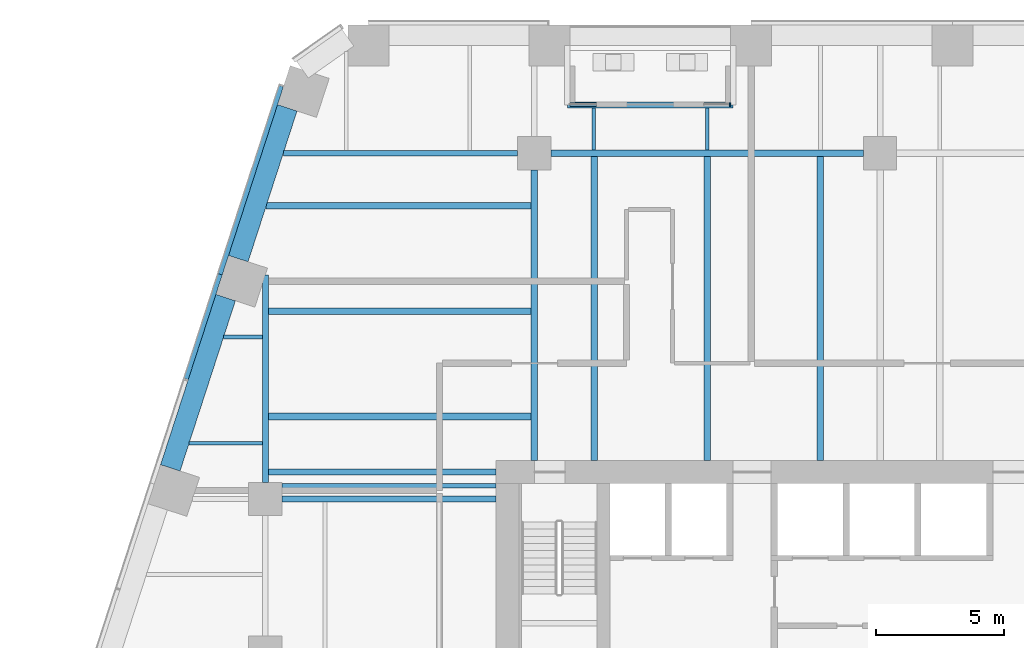
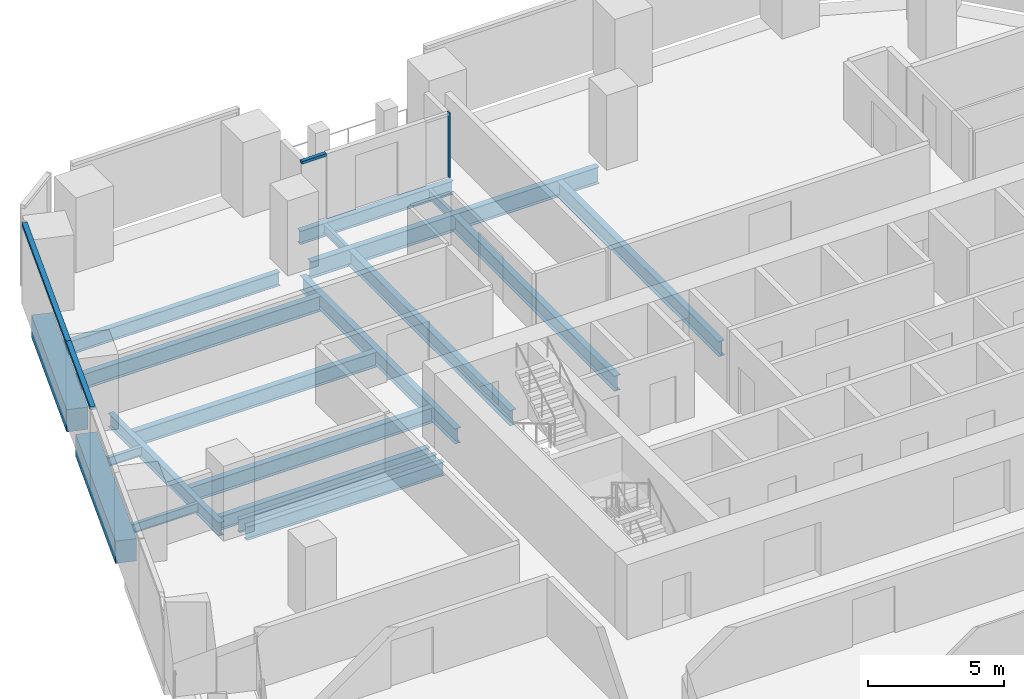
# One storey, part 11 of 31: 20 beams, 4 members, 2 elements without a shape of their own.
"""IFC4 building model written with IfcOpenShell, lengths in metres."""

from ifc_helpers import new_model, si_unit, direction, frame, origin, origin_2d, place, context, subcontext, project, spatial, rectangle, i_section, extrude, material, layer, layer_set, material_profile, profile_set, type_object, element, aggregate, save


model = new_model("IFC4")

# Units and contexts
model_context = context("Model", 3, precision=1e-05, world=origin(), true_north=direction((0.0, 1.0)))
body_context = subcontext(model_context, "Body", "Model", "MODEL_VIEW")
ifc_project = project(units=[si_unit("LENGTHUNIT", "METRE"), si_unit("AREAUNIT", "SQUARE_METRE"), si_unit("VOLUMEUNIT", "CUBIC_METRE"), si_unit("PLANEANGLEUNIT", "RADIAN"), si_unit("MASSUNIT", "GRAM", prefix="KILO")], contexts=[model_context])

# Site, building, storey
site_placement = place(None, origin())
site = spatial("IfcSite", under=ifc_project, at=site_placement, CompositionType="ELEMENT")
building_placement = place(site_placement, origin())
building = spatial("IfcBuilding", under=site, at=building_placement, Name="Isthmus Gate Tower", CompositionType="ELEMENT")
storey_placement = place(building_placement, frame((0.0, 0.0, 113.5)))
storey = spatial("IfcBuildingStorey", under=building, at=storey_placement, Name="L27", CompositionType="ELEMENT", Elevation=113.5)

# Curtain wall, members
ifc_material_1 = material(Name="Aluminium, pale champagne anodised", Category="aluminium")
ifc_layer_1 = layer(ifc_material_1, 0.199951171875)
ifc_layer_set_1 = layer_set([ifc_layer_1], Name="CW-1 UNITISED CURTAIN WALL 200 DEEP")
curtain_wall_type_1 = type_object("IfcCurtainWallType", Name="CW-1 UNITISED CURTAIN WALL 200 DEEP", PredefinedType="NOTDEFINED", material=ifc_layer_set_1)
curtain_wall_1_placement = place(storey_placement, origin())
curtain_wall_1 = element("IfcCurtainWall", 1, at=curtain_wall_1_placement, inside=storey, type_object=curtain_wall_type_1, Name="CW-1 NW L27", PredefinedType="NOTDEFINED")
ifc_material_2 = material(Name="Aluminium, pale champagne anodised", Category="aluminium")
ifc_material_profile_1 = material_profile(ifc_material_2, rectangle(XDim=0.199951171875, YDim=0.14990234375, at=origin_2d()), Name="200x150")
ifc_profile_set_1 = profile_set([ifc_material_profile_1], Name="Aluminium, pale champagne anodised")
member_type_1 = type_object("IfcMemberType", Name="CW-1 TRANSOM 200 X 150", PredefinedType="USERDEFINED", material=ifc_profile_set_1)
member_1_placement = place(storey_placement, frame((-23.389892578125, 29.6279296875, 3.574951171875), z_axis=(-0.309036077329, -0.951050315656, 0.0), x_axis=(0.951050315656, -0.309036077329, 0.0)))
member_1 = element("IfcMember", 2, at=member_1_placement, type_object=member_type_1, Name="CW-1 transom", ObjectType="TRANSOM", PredefinedType="USERDEFINED", context=body_context, shape_type="SweptSolid", body=[
    extrude(rectangle(XDim=0.199951171875, YDim=0.14990234375, at=origin_2d()), origin(), (0.0, 0.0, 1.0), 7.7294921875),
])
member_2_placement = place(storey_placement, frame((-25.778564453125, 22.27685546875, 3.574951171875), z_axis=(-0.309021801109, -0.951054954479, 0.0), x_axis=(0.951054954479, -0.309021801109, 0.0)))
member_2 = element("IfcMember", 3, at=member_2_placement, type_object=member_type_1, Name="CW-1 transom", ObjectType="TRANSOM", PredefinedType="USERDEFINED", context=body_context, shape_type="SweptSolid", body=[
    extrude(rectangle(XDim=0.199951171875, YDim=0.14990234375, at=origin_2d()), origin(), (0.0, 0.0, 1.0), 4.294677734375),
])
aggregate(curtain_wall_1, [member_1, member_2])

ifc_material_3 = material(Name="Aluminium, pale champagne anodised", Category="aluminium")
ifc_layer_2 = layer(ifc_material_3, 0.14990234375)
ifc_layer_set_2 = layer_set([ifc_layer_2], Name="CW-6 LOGGIA BACK WALL GLAZING 150 DEEP")
curtain_wall_type_2 = type_object("IfcCurtainWallType", Name="CW-6 LOGGIA BACK WALL GLAZING 150 DEEP", PredefinedType="NOTDEFINED", material=ifc_layer_set_2)
curtain_wall_2_placement = place(storey_placement, origin())
curtain_wall_2 = element("IfcCurtainWall", 4, at=curtain_wall_2_placement, inside=storey, type_object=curtain_wall_type_2, Name="CW-6 N L27", PredefinedType="NOTDEFINED")
ifc_material_4 = material(Name="Aluminium, pale champagne anodised", Category="aluminium")
ifc_material_profile_2 = material_profile(ifc_material_4, rectangle(XDim=0.06005859375, YDim=0.14990234375, at=origin_2d()), Name="60x150")
ifc_profile_set_2 = profile_set([ifc_material_profile_2], Name="Aluminium, pale champagne anodised")
member_type_2 = type_object("IfcMemberType", Name="CW-6 MULLION 60 X 150", PredefinedType="MULLION", material=ifc_profile_set_2)
member_3_placement = place(storey_placement, frame((-5.8671875, 28.89990234375, 0.0), z_axis=(0.0, 0.0, 1.0), x_axis=(-1.0, 0.0, 0.0)))
member_3 = element("IfcMember", 5, at=member_3_placement, type_object=member_type_2, Name="CW-6 mullion", PredefinedType="MULLION", context=body_context, shape_type="SweptSolid", body=[
    extrude(rectangle(XDim=0.06005859375, YDim=0.14990234375, at=origin_2d()), origin(), (0.0, 0.0, 1.0), 2.89990234375),
])
ifc_material_5 = material(Name="Aluminium, pale champagne anodised", Category="aluminium")
ifc_material_profile_3 = material_profile(ifc_material_5, rectangle(XDim=0.14990234375, YDim=0.1201171875, at=origin_2d()), Name="150x120")
ifc_profile_set_3 = profile_set([ifc_material_profile_3], Name="Aluminium, pale champagne anodised")
member_type_3 = type_object("IfcMemberType", Name="CW-6 TRANSOM 150 X 120", PredefinedType="USERDEFINED", material=ifc_profile_set_3)
member_4_placement = place(storey_placement, frame((-11.072021484375, 28.89990234375, 2.840087890625), z_axis=(-1.0, 0.0, 0.0), x_axis=(0.0, -1.0, 0.0)))
member_4 = element("IfcMember", 6, at=member_4_placement, type_object=member_type_3, Name="CW-6 transom", ObjectType="TRANSOM", PredefinedType="USERDEFINED", context=body_context, shape_type="SweptSolid", body=[
    extrude(rectangle(XDim=0.14990234375, YDim=0.1201171875, at=origin_2d()), origin(), (0.0, 0.0, 1.0), 1.03466796875),
])
aggregate(curtain_wall_2, [member_3, member_4])

# Beams
ifc_material_6 = material(Name="Concrete f'c 70 MPa", Category="concrete")
ifc_material_profile_4 = material_profile(ifc_material_6, rectangle(XDim=0.800048828125, YDim=1.0, at=origin_2d()), Name="RC 800X1000")
ifc_profile_set_4 = profile_set([ifc_material_profile_4], Name="Concrete f'c 70 MPa")
beam_type_1 = type_object("IfcBeamType", Name="RC SPANDREL 800 X 1000", PredefinedType="SPANDREL", material=ifc_profile_set_4)
beam_1_placement = place(storey_placement, frame((-27.7099609375, 14.71435546875, -0.5), z_axis=(0.309029993465, 0.951052292537, 0.0), x_axis=(-0.951052292537, 0.309029993465, 0.0)))
element("IfcBeam", 7, at=beam_1_placement, inside=storey, type_object=beam_type_1, Name="str-spandrel-L27-20", PredefinedType="SPANDREL", context=body_context, shape_type="SweptSolid", body=[
    extrude(rectangle(XDim=0.800048828125, YDim=1.0, at=origin_2d()), origin(), (0.0, 0.0, 1.0), 6.9892578125),
])
beam_2_placement = place(storey_placement, frame((-25.0556640625, 22.88330078125, -0.5), z_axis=(0.309023635203, 0.951054358534, 0.0), x_axis=(-0.951054358534, 0.309023635203, 0.0)))
element("IfcBeam", 8, at=beam_2_placement, inside=storey, type_object=beam_type_1, Name="str-spandrel-L27-21", PredefinedType="SPANDREL", context=body_context, shape_type="SweptSolid", body=[
    extrude(rectangle(XDim=0.800048828125, YDim=1.0, at=origin_2d()), origin(), (0.0, 0.0, 1.0), 6.189208984375),
])
ifc_material_7 = material(Name="Structural steel ASTM A992 Gr 50", Category="steel")
ifc_material_profile_5 = material_profile(ifc_material_7, i_section(OverallWidth=0.1396484375, OverallDepth=0.4033203125, WebThickness=0.00634765625, FlangeThickness=0.010986328125, at=origin_2d()), Name="W16X31")
ifc_profile_set_5 = profile_set([ifc_material_profile_5], Name="Structural steel ASTM A992 Gr 50")
beam_type_2 = type_object("IfcBeamType", Name="STEEL FLOOR BEAM W16X31", PredefinedType="JOIST", material=ifc_profile_set_5)
beam_3_placement = place(storey_placement, frame((-26.976318359375, 15.677978515625, -0.3515625), z_axis=(1.0, 0.0, 0.0), x_axis=(0.0, 1.0, 0.0)))
element("IfcBeam", 9, at=beam_3_placement, inside=storey, type_object=beam_type_2, Name="str-beam-L27-03-00", PredefinedType="JOIST", context=body_context, shape_type="SweptSolid", body=[
    extrude(i_section(OverallWidth=0.1396484375, OverallDepth=0.4033203125, WebThickness=0.00634765625, FlangeThickness=0.010986328125, at=origin_2d()), origin(), (0.0, 0.0, 1.0), 2.862060546875),
])
beam_4_placement = place(storey_placement, frame((-25.629150390625, 19.82421875, -0.3515625), z_axis=(1.0, 0.0, 0.0), x_axis=(0.0, 1.0, 0.0)))
element("IfcBeam", 10, at=beam_4_placement, inside=storey, type_object=beam_type_2, Name="str-beam-L27-03-01", PredefinedType="JOIST", context=body_context, shape_type="SweptSolid", body=[
    extrude(i_section(OverallWidth=0.1396484375, OverallDepth=0.4033203125, WebThickness=0.00634765625, FlangeThickness=0.010986328125, at=origin_2d()), origin(), (0.0, 0.0, 1.0), 1.514892578125),
])
for number, where, z_axis, x_axis, name in (
    (11, (-11.18017578125, 27.1318359375, -0.3515625), (0.0, 1.0, 0.0), (-1.0, 0.0, 0.0), "str-beam-L27-18-00"),
    (12, (-6.75, 27.1318359375, -0.3515625), (0.0, 1.0, 0.0), (-1.0, 0.0, 0.0), "str-beam-L27-18-01"),
):
    element("IfcBeam", number, at=place(storey_placement, frame(where, z_axis=z_axis, x_axis=x_axis)), inside=storey, type_object=beam_type_2, Name=name, PredefinedType="JOIST", context=body_context, shape_type="SweptSolid", body=[
        extrude(i_section(OverallWidth=0.1396484375, OverallDepth=0.4033203125, WebThickness=0.00634765625, FlangeThickness=0.010986328125, at=origin_2d()), origin(), (0.0, 0.0, 1.0), 1.6396484375),
    ])
ifc_material_8 = material(Name="Structural steel ASTM A992 Gr 50", Category="steel")
ifc_material_profile_6 = material_profile(ifc_material_8, i_section(OverallWidth=0.177734375, OverallDepth=0.60009765625, WebThickness=0.009521484375, FlangeThickness=0.0126953125, at=origin_2d()), Name="W24X55")
ifc_profile_set_6 = profile_set([ifc_material_profile_6], Name="Structural steel ASTM A992 Gr 50")
beam_type_3 = type_object("IfcBeamType", Name="STEEL FLOOR BEAM W24X55", PredefinedType="JOIST", material=ifc_profile_set_6)
beam_5_placement = place(storey_placement, frame((-23.35009765625, 14.02490234375, -0.449951171875), z_axis=(1.0, 0.0, 0.0), x_axis=(0.0, 1.0, 0.0)))
element("IfcBeam", 13, at=beam_5_placement, inside=storey, type_object=beam_type_3, Name="str-beam-L27-06-00", PredefinedType="JOIST", context=body_context, shape_type="SweptSolid", body=[
    extrude(i_section(OverallWidth=0.177734375, OverallDepth=0.60009765625, WebThickness=0.009521484375, FlangeThickness=0.0126953125, at=origin_2d()), origin(), (0.0, 0.0, 1.0), 8.35009765625),
])
ifc_material_9 = material(Name="Structural steel ASTM A992 Gr 50", Category="steel")
ifc_material_profile_7 = material_profile(ifc_material_9, i_section(OverallWidth=0.25390625, OverallDepth=0.679443359375, WebThickness=0.010986328125, FlangeThickness=0.015869140625, at=origin_2d()), Name="W27X84")
ifc_profile_set_7 = profile_set([ifc_material_profile_7], Name="Structural steel ASTM A992 Gr 50")
beam_type_4 = type_object("IfcBeamType", Name="STEEL FLOOR BEAM W27X84", PredefinedType="JOIST", material=ifc_profile_set_7)
for number, where, z_axis, x_axis, name in (
    (14, (-23.8857421875, 16.72021484375, -0.48974609375), (1.0, 0.0, 0.0), (0.0, 1.0, 0.0), "str-beam-L27-08-00"),
    (15, (-23.8857421875, 20.83203125, -0.48974609375), (1.0, 0.0, 0.0), (0.0, 1.0, 0.0), "str-beam-L27-08-01"),
):
    element("IfcBeam", number, at=place(storey_placement, frame(where, z_axis=z_axis, x_axis=x_axis)), inside=storey, type_object=beam_type_4, Name=name, PredefinedType="JOIST", context=body_context, shape_type="SweptSolid", body=[
        extrude(i_section(OverallWidth=0.25390625, OverallDepth=0.679443359375, WebThickness=0.010986328125, FlangeThickness=0.015869140625, at=origin_2d()), origin(), (0.0, 0.0, 1.0), 10.2587890625),
    ])
beam_6_placement = place(storey_placement, frame((-23.965576171875, 24.944091796875, -0.48974609375), z_axis=(1.0, 0.0, 0.0), x_axis=(0.0, 1.0, 0.0)))
element("IfcBeam", 16, at=beam_6_placement, inside=storey, type_object=beam_type_4, Name="str-beam-L27-08-02", PredefinedType="JOIST", context=body_context, shape_type="SweptSolid", body=[
    extrude(i_section(OverallWidth=0.25390625, OverallDepth=0.679443359375, WebThickness=0.010986328125, FlangeThickness=0.015869140625, at=origin_2d()), origin(), (0.0, 0.0, 1.0), 10.338623046875),
])
for number, where, z_axis, x_axis, name in (
    (17, (-11.165283203125, 15.0, -0.48974609375), (0.0, 1.0, 0.0), (-1.0, 0.0, 0.0), "str-beam-L27-17-00"),
    (18, (-6.75, 15.0, -0.48974609375), (0.0, 1.0, 0.0), (-1.0, 0.0, 0.0), "str-beam-L27-17-01"),
    (19, (-2.334716796875, 15.0, -0.48974609375), (0.0, 1.0, 0.0), (-1.0, 0.0, 0.0), "str-beam-L27-17-02"),
):
    element("IfcBeam", number, at=place(storey_placement, frame(where, z_axis=z_axis, x_axis=x_axis)), inside=storey, type_object=beam_type_4, Name=name, PredefinedType="JOIST", context=body_context, shape_type="SweptSolid", body=[
        extrude(i_section(OverallWidth=0.25390625, OverallDepth=0.679443359375, WebThickness=0.010986328125, FlangeThickness=0.015869140625, at=origin_2d()), origin(), (0.0, 0.0, 1.0), 11.8681640625),
    ])
ifc_material_10 = material(Name="Structural steel ASTM A992 Gr 50", Category="steel")
ifc_material_profile_8 = material_profile(ifc_material_10, i_section(OverallWidth=0.228515625, OverallDepth=0.6064453125, WebThickness=0.010986328125, FlangeThickness=0.017578125, at=origin_2d()), Name="W24X76")
ifc_profile_set_8 = profile_set([ifc_material_profile_8], Name="Structural steel ASTM A992 Gr 50")
beam_type_5 = type_object("IfcBeamType", Name="STEEL GIRDER W24X76", PredefinedType="BEAM", material=ifc_profile_set_8)
beam_7_placement = place(storey_placement, frame((-23.35009765625, 13.5, -0.453125), z_axis=(1.0, 0.0, 0.0), x_axis=(0.0, 1.0, 0.0)))
element("IfcBeam", 20, at=beam_7_placement, inside=storey, type_object=beam_type_5, Name="str-girder-L27-14", PredefinedType="BEAM", context=body_context, shape_type="SweptSolid", body=[
    extrude(i_section(OverallWidth=0.228515625, OverallDepth=0.6064453125, WebThickness=0.010986328125, FlangeThickness=0.017578125, at=origin_2d()), origin(), (0.0, 0.0, 1.0), 8.35009765625),
])
beam_8_placement = place(storey_placement, frame((-23.297607421875, 27.0, -0.453125), z_axis=(1.0, 0.0, 0.0), x_axis=(0.0, 1.0, 0.0)))
element("IfcBeam", 21, at=beam_8_placement, inside=storey, type_object=beam_type_5, Name="str-girder-L27-17", PredefinedType="BEAM", context=body_context, shape_type="SweptSolid", body=[
    extrude(i_section(OverallWidth=0.228515625, OverallDepth=0.6064453125, WebThickness=0.010986328125, FlangeThickness=0.017578125, at=origin_2d()), origin(), (0.0, 0.0, 1.0), 9.147705078125),
])
beam_9_placement = place(storey_placement, frame((-24.0, 14.14990234375, -0.453125), z_axis=(0.0, 1.0, 0.0), x_axis=(-1.0, 0.0, 0.0)))
element("IfcBeam", 22, at=beam_9_placement, inside=storey, type_object=beam_type_5, Name="str-girder-L27-23", PredefinedType="BEAM", context=body_context, shape_type="SweptSolid", body=[
    extrude(i_section(OverallWidth=0.228515625, OverallDepth=0.6064453125, WebThickness=0.010986328125, FlangeThickness=0.017578125, at=origin_2d()), origin(), (0.0, 0.0, 1.0), 8.099365234375),
])
beam_10_placement = place(storey_placement, frame((-15.0, 14.550048828125, -0.453125), z_axis=(-1.0, 0.0, 0.0), x_axis=(0.0, -1.0, 0.0)))
element("IfcBeam", 23, at=beam_10_placement, inside=storey, type_object=beam_type_5, Name="str-girder-L27-41", PredefinedType="BEAM", context=body_context, shape_type="SweptSolid", body=[
    extrude(i_section(OverallWidth=0.228515625, OverallDepth=0.6064453125, WebThickness=0.010986328125, FlangeThickness=0.017578125, at=origin_2d()), origin(), (0.0, 0.0, 1.0), 8.8857421875),
])
ifc_material_11 = material(Name="Structural steel ASTM A992 Gr 50", Category="steel")
ifc_material_profile_9 = material_profile(ifc_material_11, i_section(OverallWidth=0.25390625, OverallDepth=0.679443359375, WebThickness=0.010986328125, FlangeThickness=0.015869140625, at=origin_2d()), Name="W27X84")
ifc_profile_set_9 = profile_set([ifc_material_profile_9], Name="Structural steel ASTM A992 Gr 50")
beam_type_6 = type_object("IfcBeamType", Name="STEEL GIRDER W27X84", PredefinedType="BEAM", material=ifc_profile_set_9)
beam_11_placement = place(storey_placement, frame((-13.5, 15.0, -0.48974609375), z_axis=(0.0, 1.0, 0.0), x_axis=(-1.0, 0.0, 0.0)))
element("IfcBeam", 24, at=beam_11_placement, inside=storey, type_object=beam_type_6, Name="str-girder-L27-27", PredefinedType="BEAM", context=body_context, shape_type="SweptSolid", body=[
    extrude(i_section(OverallWidth=0.25390625, OverallDepth=0.679443359375, WebThickness=0.010986328125, FlangeThickness=0.015869140625, at=origin_2d()), origin(), (0.0, 0.0, 1.0), 11.35009765625),
])
ifc_material_12 = material(Name="Structural steel ASTM A992 Gr 50", Category="steel")
ifc_material_profile_10 = material_profile(ifc_material_12, i_section(OverallWidth=0.263427734375, OverallDepth=0.749267578125, WebThickness=0.0126953125, FlangeThickness=0.015869140625, at=origin_2d()), Name="W30X90")
ifc_profile_set_10 = profile_set([ifc_material_profile_10], Name="Structural steel ASTM A992 Gr 50")
beam_type_7 = type_object("IfcBeamType", Name="STEEL GIRDER W30X90", PredefinedType="BEAM", material=ifc_profile_set_10)
beam_12_placement = place(storey_placement, frame((-12.85009765625, 27.0, -0.524658203125), z_axis=(1.0, 0.0, 0.0), x_axis=(0.0, 1.0, 0.0)))
element("IfcBeam", 25, at=beam_12_placement, inside=storey, type_object=beam_type_7, Name="str-girder-L27-18", PredefinedType="BEAM", context=body_context, shape_type="SweptSolid", body=[
    extrude(i_section(OverallWidth=0.263427734375, OverallDepth=0.749267578125, WebThickness=0.0126953125, FlangeThickness=0.015869140625, at=origin_2d()), origin(), (0.0, 0.0, 1.0), 12.2001953125),
])
ifc_material_13 = material(Name="Structural steel ASTM A992 Gr 50", Category="steel")
ifc_material_profile_11 = material_profile(ifc_material_13, i_section(OverallWidth=0.228515625, OverallDepth=0.603271484375, WebThickness=0.010986328125, FlangeThickness=0.014404296875, at=origin_2d()), Name="W24X68")
ifc_profile_set_11 = profile_set([ifc_material_profile_11], Name="Structural steel ASTM A992 Gr 50")
beam_type_8 = type_object("IfcBeamType", Name="STEEL TRIMMER W24X68", PredefinedType="BEAM", material=ifc_profile_set_11)
beam_13_placement = place(storey_placement, frame((-5.732421875, 28.8857421875, -0.45166015625), z_axis=(-1.0, 0.0, 0.0), x_axis=(0.0, -1.0, 0.0)))
element("IfcBeam", 26, at=beam_13_placement, inside=storey, type_object=beam_type_8, Name="str-loggiatrim-L27-01-B", PredefinedType="BEAM", context=body_context, shape_type="SweptSolid", body=[
    extrude(i_section(OverallWidth=0.228515625, OverallDepth=0.603271484375, WebThickness=0.010986328125, FlangeThickness=0.014404296875, at=origin_2d()), origin(), (0.0, 0.0, 1.0), 6.47900390625),
])

save(model, "model.ifc")
